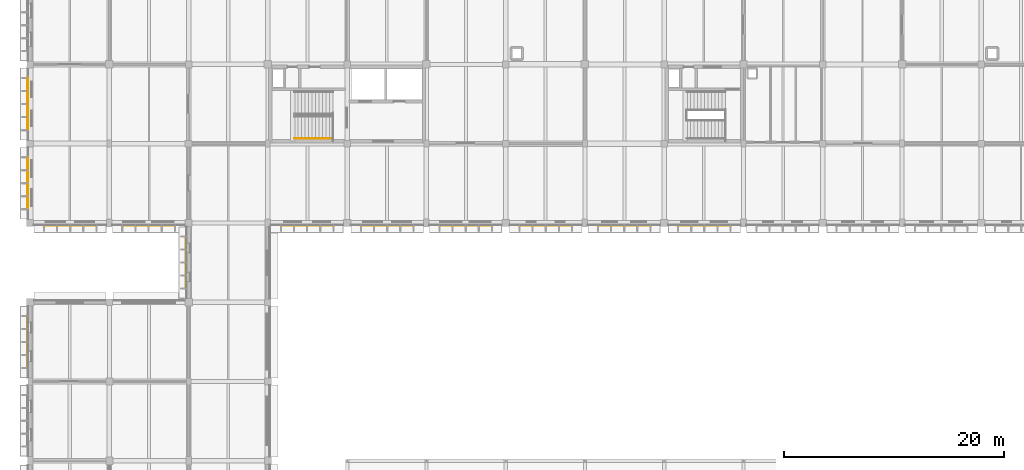
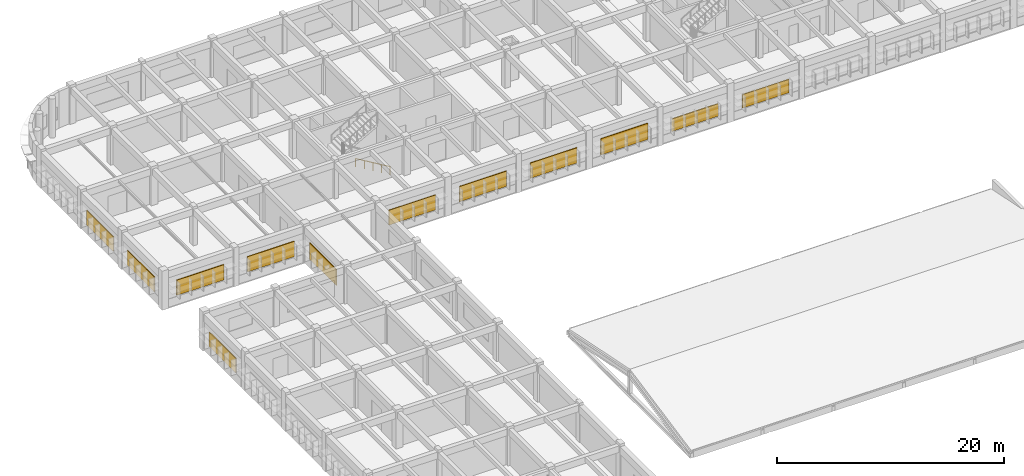
# One storey, part 99 of 103: 12 shading devices, 1 railing.
"""IFC4 building model written with IfcOpenShell, lengths in metres."""

from ifc_helpers import new_model, si_unit, direction, frame, origin, origin_2d, place, context, subcontext, project, spatial, rectangle, circle, extrude, material, layer, layer_set, type_object, element, save


model = new_model("IFC4")

# Units and contexts
model_context = context("Model", 3, precision=1e-05, world=origin(), true_north=direction((0.0, 1.0)))
body_context = subcontext(model_context, "Body", "Model", "MODEL_VIEW")
ifc_project = project(units=[si_unit("LENGTHUNIT", "METRE"), si_unit("AREAUNIT", "SQUARE_METRE"), si_unit("VOLUMEUNIT", "CUBIC_METRE"), si_unit("PLANEANGLEUNIT", "RADIAN"), si_unit("MASSUNIT", "GRAM", prefix="KILO")], contexts=[model_context])

# Site, building, storey
site_placement = place(None, origin())
site = spatial("IfcSite", under=ifc_project, at=site_placement, CompositionType="ELEMENT")
building_placement = place(site_placement, origin())
building = spatial("IfcBuilding", under=site, at=building_placement, Name="Thalmaran Polytechnic", CompositionType="ELEMENT")
storey_placement = place(building_placement, frame((0.0, 0.0, 14.39990234375)))
storey = spatial("IfcBuildingStorey", under=building, at=storey_placement, Name="L03", CompositionType="ELEMENT", Elevation=14.39990234375)

# Railing
ifc_material_1 = material(Name="Stainless steel 316", Category="steel")
railing_type = type_object("IfcRailingType", Name="RL-HR01", PredefinedType="HANDRAIL", material=ifc_material_1)
railing_placement = place(storey_placement, frame((27.52001953125, 101.280029296875, 0.0)))
element("IfcRailing", 1, at=railing_placement, inside=storey, type_object=railing_type, Name="ST2 L03 Flight 1 Handrail", PredefinedType="HANDRAIL", context=body_context, shape_type="SweptSolid", body=[
    extrude(circle(Radius=0.02392578125, at=origin_2d()), frame((0.0, 0.0, 0.8759765625), z_axis=(-0.85877260855, 0.0, 0.512356913493), x_axis=(0.0, -1.0, 0.0)), (0.0, 0.0, 1.0), 4.098876953125),
    extrude(circle(Radius=0.02099609375, at=origin_2d()), origin(), (0.0, 0.0, 1.0), 0.851806640625),
    extrude(circle(Radius=0.02099609375, at=origin_2d()), frame((-0.8798828125, 0.0, 0.52490234375)), (0.0, 0.0, 1.0), 0.851806640625),
    extrude(circle(Radius=0.02099609375, at=origin_2d()), frame((-1.760009765625, 0.0, 1.050048828125)), (0.0, 0.0, 1.0), 0.851806640625),
    extrude(circle(Radius=0.02099609375, at=origin_2d()), frame((-2.64013671875, 0.0, 1.5751953125)), (0.0, 0.0, 1.0), 0.851806640625),
    extrude(circle(Radius=0.02099609375, at=origin_2d()), frame((-3.52001953125, 0.0, 2.10009765625)), (0.0, 0.0, 1.0), 0.851806640625),
])

# Shading devices
ifc_material_2 = material(Name="Perforated anodised-bronze aluminium screen", Category="aluminium")
ifc_layer = layer(ifc_material_2, 0.080078125, Name="Perforated anodised-bronze aluminium screen")
ifc_layer_set = layer_set([ifc_layer], Name="Perforated anodised-bronze aluminium screen")
shading_device_type = type_object("IfcShadingDeviceType", Name="SH-JL01", PredefinedType="JALOUSIE", material=ifc_layer_set)
shading_device_1_placement = place(storey_placement, frame((-0.219970703125, 82.800048828125, 1.02490234375), z_axis=(0.0, 0.0, 1.0), x_axis=(0.0, 1.0, 0.0)))
element("IfcShadingDevice", 2, at=shading_device_1_placement, inside=storey, type_object=shading_device_type, Name="Anodised-Bronze Mashrabiya Solar Screen L03-040", PredefinedType="JALOUSIE", context=body_context, shape_type="SweptSolid", body=[
    extrude(rectangle(XDim=4.708740234375, YDim=0.080078125, at=origin_2d()), origin(), (0.0, 0.0, 1.0), 1.550048828125),
])
shading_device_2_placement = place(storey_placement, frame((14.179931640625, 90.0, 1.025146484375), z_axis=(0.0, 0.0, 1.0), x_axis=(0.0, 1.0, 0.0)))
element("IfcShadingDevice", 3, at=shading_device_2_placement, inside=storey, type_object=shading_device_type, Name="Anodised-Bronze Mashrabiya Solar Screen L03-043", PredefinedType="JALOUSIE", context=body_context, shape_type="SweptSolid", body=[
    extrude(rectangle(XDim=4.705078125, YDim=0.080078125, at=origin_2d()), origin(), (0.0, 0.0, 1.0), 1.75),
])
for number, where, z_axis, x_axis, name in (
    (4, (10.800048828125, 93.3798828125, 1.025146484375), (0.0, 0.0, 1.0), (-1.0, 0.0, 0.0), "Anodised-Bronze Mashrabiya Solar Screen L03-044"),
    (5, (3.60009765625, 93.3798828125, 1.025146484375), (0.0, 0.0, 1.0), (-1.0, 0.0, 0.0), "Anodised-Bronze Mashrabiya Solar Screen L03-045"),
):
    element("IfcShadingDevice", number, at=place(storey_placement, frame(where, z_axis=z_axis, x_axis=x_axis)), inside=storey, type_object=shading_device_type, Name=name, PredefinedType="JALOUSIE", context=body_context, shape_type="SweptSolid", body=[
        extrude(rectangle(XDim=4.77001953125, YDim=0.080078125, at=origin_2d()), origin(), (0.0, 0.0, 1.0), 1.64990234375),
    ])
shading_device_3_placement = place(storey_placement, frame((-0.219970703125, 97.199951171875, 1.025146484375), z_axis=(0.0, 0.0, 1.0), x_axis=(0.0, 1.0, 0.0)))
element("IfcShadingDevice", 6, at=shading_device_3_placement, inside=storey, type_object=shading_device_type, Name="Anodised-Bronze Mashrabiya Solar Screen L03-046", PredefinedType="JALOUSIE", context=body_context, shape_type="SweptSolid", body=[
    extrude(rectangle(XDim=4.726806640625, YDim=0.080078125, at=origin_2d()), origin(), (0.0, 0.0, 1.0), 1.60009765625),
])
shading_device_4_placement = place(storey_placement, frame((-0.219970703125, 104.39990234375, 1.02490234375), z_axis=(0.0, 0.0, 1.0), x_axis=(0.0, 1.0, 0.0)))
element("IfcShadingDevice", 7, at=shading_device_4_placement, inside=storey, type_object=shading_device_type, Name="Anodised-Bronze Mashrabiya Solar Screen L03-047", PredefinedType="JALOUSIE", context=body_context, shape_type="SweptSolid", body=[
    extrude(rectangle(XDim=4.744873046875, YDim=0.080078125, at=origin_2d()), origin(), (0.0, 0.0, 1.0), 1.550048828125),
])
shading_device_5_placement = place(storey_placement, frame((61.199951171875, 93.3798828125, 1.02490234375), z_axis=(0.0, 0.0, 1.0), x_axis=(-1.0, 0.0, 0.0)))
element("IfcShadingDevice", 8, at=shading_device_5_placement, inside=storey, type_object=shading_device_type, Name="Anodised-Bronze Mashrabiya Solar Screen L03-083", PredefinedType="JALOUSIE", context=body_context, shape_type="SweptSolid", body=[
    extrude(rectangle(XDim=4.77001953125, YDim=0.080078125, at=origin_2d()), origin(), (0.0, 0.0, 1.0), 1.449951171875),
])
shading_device_6_placement = place(storey_placement, frame((54.0, 93.3798828125, 1.025146484375), z_axis=(0.0, 0.0, 1.0), x_axis=(-1.0, 0.0, 0.0)))
element("IfcShadingDevice", 9, at=shading_device_6_placement, inside=storey, type_object=shading_device_type, Name="Anodised-Bronze Mashrabiya Solar Screen L03-084", PredefinedType="JALOUSIE", context=body_context, shape_type="SweptSolid", body=[
    extrude(rectangle(XDim=4.77001953125, YDim=0.080078125, at=origin_2d()), origin(), (0.0, 0.0, 1.0), 1.35009765625),
])
shading_device_7_placement = place(storey_placement, frame((46.800048828125, 93.3798828125, 1.025146484375), z_axis=(0.0, 0.0, 1.0), x_axis=(-1.0, 0.0, 0.0)))
element("IfcShadingDevice", 10, at=shading_device_7_placement, inside=storey, type_object=shading_device_type, Name="Anodised-Bronze Mashrabiya Solar Screen L03-085", PredefinedType="JALOUSIE", context=body_context, shape_type="SweptSolid", body=[
    extrude(rectangle(XDim=4.77001953125, YDim=0.080078125, at=origin_2d()), origin(), (0.0, 0.0, 1.0), 1.75),
])
for number, where, z_axis, x_axis, name in (
    (11, (39.60009765625, 93.3798828125, 1.025146484375), (0.0, 0.0, 1.0), (-1.0, 0.0, 0.0), "Anodised-Bronze Mashrabiya Solar Screen L03-086"),
    (12, (32.39990234375, 93.3798828125, 1.025146484375), (0.0, 0.0, 1.0), (-1.0, 0.0, 0.0), "Anodised-Bronze Mashrabiya Solar Screen L03-087"),
):
    element("IfcShadingDevice", number, at=place(storey_placement, frame(where, z_axis=z_axis, x_axis=x_axis)), inside=storey, type_object=shading_device_type, Name=name, PredefinedType="JALOUSIE", context=body_context, shape_type="SweptSolid", body=[
        extrude(rectangle(XDim=4.77001953125, YDim=0.080078125, at=origin_2d()), origin(), (0.0, 0.0, 1.0), 1.64990234375),
    ])
shading_device_8_placement = place(storey_placement, frame((25.199951171875, 93.3798828125, 1.025146484375), z_axis=(0.0, 0.0, 1.0), x_axis=(-1.0, 0.0, 0.0)))
element("IfcShadingDevice", 13, at=shading_device_8_placement, inside=storey, type_object=shading_device_type, Name="Anodised-Bronze Mashrabiya Solar Screen L03-088", PredefinedType="JALOUSIE", context=body_context, shape_type="SweptSolid", body=[
    extrude(rectangle(XDim=4.77001953125, YDim=0.080078125, at=origin_2d()), origin(), (0.0, 0.0, 1.0), 1.60009765625),
])

save(model, "model.ifc")
